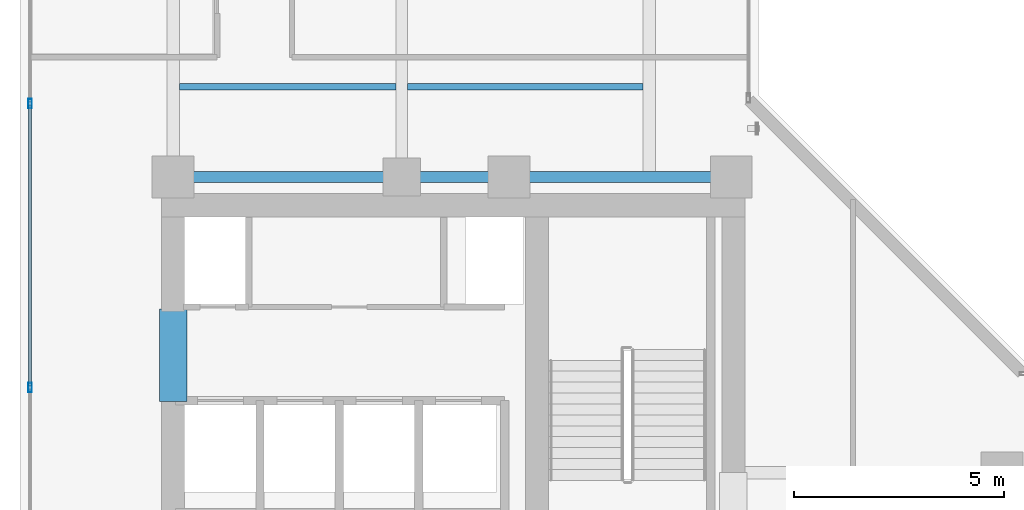
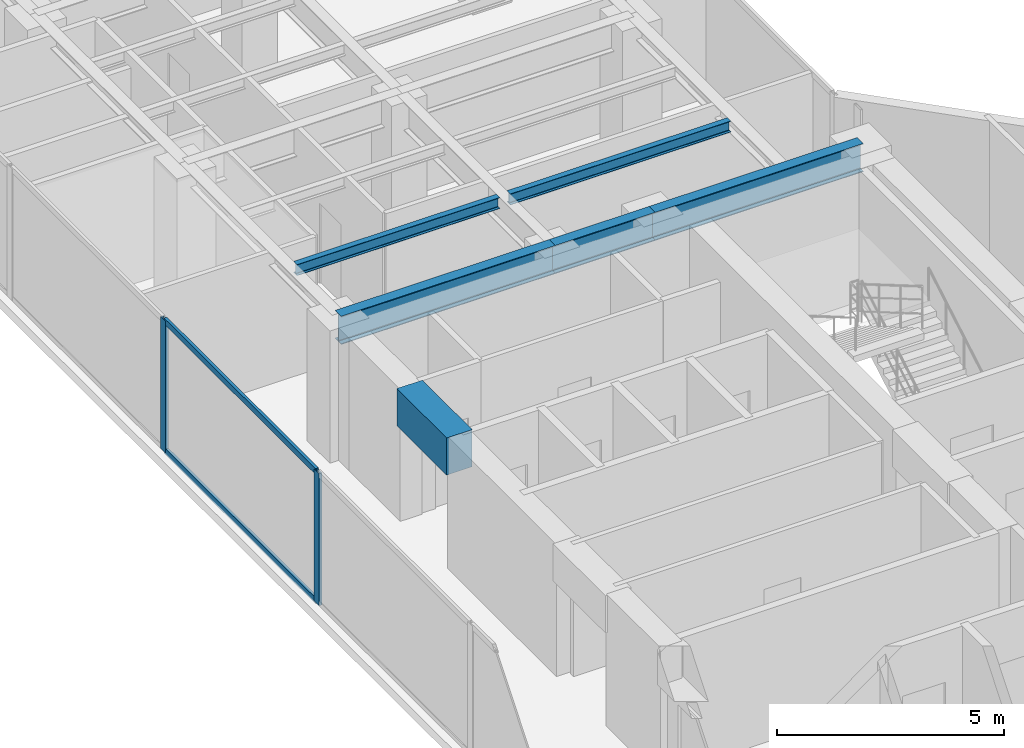
# One storey, part 7 of 23: 6 beams, 4 members, 1 element without a shape of its own.
"""IFC4 building model written with IfcOpenShell, lengths in metres."""

from ifc_helpers import new_model, si_unit, direction, frame, origin, origin_with_axes, origin_2d, place, context, subcontext, project, spatial, rectangle, hollow_rectangle, i_section, extrude, source, transform, mapped, material, layer, layer_set, material_profile, profile_set, type_object, element, aggregate, save


model = new_model("IFC4")

# Units and contexts
model_context = context("Model", 3, precision=1e-05, world=origin(), true_north=direction((0.0, 1.0)))
body_context = subcontext(model_context, "Body", "Model", "MODEL_VIEW")
ifc_project = project(units=[si_unit("LENGTHUNIT", "METRE"), si_unit("AREAUNIT", "SQUARE_METRE"), si_unit("VOLUMEUNIT", "CUBIC_METRE"), si_unit("PLANEANGLEUNIT", "RADIAN"), si_unit("MASSUNIT", "GRAM", prefix="KILO")], contexts=[model_context])

# Site, building, storey
site_placement = place(None, origin())
site = spatial("IfcSite", under=ifc_project, at=site_placement, CompositionType="ELEMENT")
building_placement = place(site_placement, origin())
building = spatial("IfcBuilding", under=site, at=building_placement, Name="Kolvaren Waterfront Exchange", CompositionType="ELEMENT")
storey_placement = place(building_placement, frame((0.0, 0.0, 250.10009765625)))
storey = spatial("IfcBuildingStorey", under=building, at=storey_placement, Name="L64", CompositionType="ELEMENT", Elevation=250.10009765625)

# Beams
ifc_material_1 = material(Name="Steel S355", Category="steel")
ifc_material_profile_1 = material_profile(ifc_material_1, i_section(OverallWidth=0.14990234375, OverallDepth=0.300048828125, WebThickness=0.007080078125, FlangeThickness=0.0107421875, FilletRadius=0.014892578125, at=origin_2d()), Name="IPE300")
ifc_profile_set_1 = profile_set([ifc_material_profile_1], Name="Steel S355")
beam_type_1 = type_object("IfcBeamType", Name="STR-BM-IPE300", PredefinedType="JOIST", material=ifc_profile_set_1)
beam_1_placement = place(storey_placement, frame((7.60205078125, 26.60009765625, 3.409912109375), z_axis=(1.0, 0.0, 0.0), x_axis=(0.0, 1.0, 0.0)))
element("IfcBeam", 1, at=beam_1_placement, inside=storey, type_object=beam_type_1, Name="L64 north-arm composite joist 1A", PredefinedType="JOIST", context=body_context, shape_type="SweptSolid", body=[
    extrude(i_section(OverallWidth=0.14990234375, OverallDepth=0.300048828125, WebThickness=0.007080078125, FlangeThickness=0.0107421875, FilletRadius=0.014892578125, at=origin_2d()), origin(), (0.0, 0.0, 1.0), 5.162353515625),
])
beam_2_placement = place(storey_placement, frame((13.035400390625, 26.60009765625, 3.409912109375), z_axis=(1.0, 0.0, 0.0), x_axis=(0.0, 1.0, 0.0)))
element("IfcBeam", 2, at=beam_2_placement, inside=storey, type_object=beam_type_1, Name="L64 north-arm composite joist 1B", PredefinedType="JOIST", context=body_context, shape_type="SweptSolid", body=[
    extrude(i_section(OverallWidth=0.14990234375, OverallDepth=0.300048828125, WebThickness=0.007080078125, FlangeThickness=0.0107421875, FilletRadius=0.014892578125, at=origin_2d()), origin(), (0.0, 0.0, 1.0), 5.612548828125),
])
ifc_material_profile_2 = material_profile(ifc_material_1, i_section(OverallWidth=0.26708984375, OverallDepth=0.761962890625, WebThickness=0.014404296875, FlangeThickness=0.021484375, FilletRadius=0.01708984375, at=origin_2d()), Name="IPE750x173")
ifc_profile_set_2 = profile_set([ifc_material_profile_2], Name="Steel S355")
beam_type_2 = type_object("IfcBeamType", Name="STR-BM-IPE750", PredefinedType="BEAM", material=ifc_profile_set_2)
beam_3_placement = place(storey_placement, frame((7.449951171875, 24.449951171875, 3.178955078125), z_axis=(1.0, 0.0, 0.0), x_axis=(0.0, 1.0, 0.0)))
element("IfcBeam", 3, at=beam_3_placement, inside=storey, type_object=beam_type_2, Name="L64 north-arm girder 1A", PredefinedType="BEAM", context=body_context, shape_type="SweptSolid", body=[
    extrude(i_section(OverallWidth=0.26708984375, OverallDepth=0.761962890625, WebThickness=0.014404296875, FlangeThickness=0.021484375, FilletRadius=0.01708984375, at=origin_2d()), origin(), (0.0, 0.0, 1.0), 5.449951171875),
])
beam_4_placement = place(storey_placement, frame((12.89990234375, 24.449951171875, 3.178955078125), z_axis=(1.0, 0.0, 0.0), x_axis=(0.0, 1.0, 0.0)))
element("IfcBeam", 4, at=beam_4_placement, inside=storey, type_object=beam_type_2, Name="L64 north-arm girder 1B", PredefinedType="BEAM", context=body_context, shape_type="SweptSolid", body=[
    extrude(i_section(OverallWidth=0.26708984375, OverallDepth=0.761962890625, WebThickness=0.014404296875, FlangeThickness=0.021484375, FilletRadius=0.01708984375, at=origin_2d()), origin(), (0.0, 0.0, 1.0), 2.550048828125),
])
beam_5_placement = place(storey_placement, frame((15.449951171875, 24.449951171875, 3.178955078125), z_axis=(1.0, 0.0, 0.0), x_axis=(0.0, 1.0, 0.0)))
element("IfcBeam", 5, at=beam_5_placement, inside=storey, type_object=beam_type_2, Name="L64 north-arm girder 1C", PredefinedType="BEAM", context=body_context, shape_type="SweptSolid", body=[
    extrude(i_section(OverallWidth=0.26708984375, OverallDepth=0.761962890625, WebThickness=0.014404296875, FlangeThickness=0.021484375, FilletRadius=0.01708984375, at=origin_2d()), origin(), (0.0, 0.0, 1.0), 5.300048828125),
])
ifc_material_2 = material(Name="Concrete C60/75", Category="concrete")
ifc_material_profile_3 = material_profile(ifc_material_2, rectangle(XDim=0.64990234375, YDim=1.0, at=origin_2d()), Name="RC-CB-1000x650")
ifc_profile_set_3 = profile_set([ifc_material_profile_3], Name="Concrete C60/75")
beam_type_3 = type_object("IfcBeamType", Name="STR-CB-1000", PredefinedType="SPANDREL", material=ifc_profile_set_3)
beam_6_placement = place(storey_placement, frame((7.449951171875, 19.10009765625, 3.059814453125), z_axis=(0.0, 1.0, 0.0), x_axis=(-1.0, 0.0, 0.0)))
element("IfcBeam", 6, at=beam_6_placement, inside=storey, type_object=beam_type_3, Name="L64 core coupling beam 5", PredefinedType="SPANDREL", context=body_context, shape_type="SweptSolid", body=[
    extrude(rectangle(XDim=0.64990234375, YDim=1.0, at=origin_2d()), origin(), (0.0, 0.0, 1.0), 2.199951171875),
])

# Curtain wall, members
ifc_material_3 = material(Name="Anodised aluminium 6063-T6", Category="aluminium")
ifc_layer = layer(ifc_material_3, 0.219970703125, Name="Anodised aluminium 6063-T6")
ifc_layer_set = layer_set([ifc_layer], Name="Anodised aluminium 6063-T6")
curtain_wall_type = type_object("IfcCurtainWallType", Name="ARC-CW-SYS2", PredefinedType="USERDEFINED", material=ifc_layer_set)
curtain_wall_placement = place(storey_placement, origin())
curtain_wall = element("IfcCurtainWall", 7, at=curtain_wall_placement, inside=storey, type_object=curtain_wall_type, Name="L64 stick curtain wall CW2 (CW-L64-W)", ObjectType="STICK CURTAIN WALL", PredefinedType="USERDEFINED")
ifc_material_profile_4 = material_profile(ifc_material_3, hollow_rectangle(XDim=0.074951171875, YDim=0.159912109375, WallThickness=0.00439453125, at=origin_2d()), Name="ALU-TRN-160x75x4.5")
ifc_profile_set_4 = profile_set([ifc_material_profile_4], Name="Anodised aluminium 6063-T6")
member_type_1 = type_object("IfcMemberType", Name="ARC-CWT-160", PredefinedType="USERDEFINED", material=ifc_profile_set_4)
shared_shape_1 = source(origin_with_axes(), body_context, "Body", "SweptSolid", [
    extrude(hollow_rectangle(XDim=0.074951171875, YDim=0.159912109375, WallThickness=0.00439453125, at=origin_2d()), origin(), (0.0, 0.0, 1.0), 6.6865234375),
])
member_1_placement = place(storey_placement, frame((4.0400390625, 19.473388671875, 0.037353515625), z_axis=(0.0, 1.0, 0.0), x_axis=(-1.0, 0.0, 0.0)))
member_1 = element("IfcMember", 8, at=member_1_placement, type_object=member_type_1, Name="CW2 transom 3.1", ObjectType="TRANSOM", PredefinedType="USERDEFINED", context=body_context, shape_type="MappedRepresentation", body=[
    mapped(shared_shape_1, transform((0.0, 0.0, 0.0), x_axis=(1.0, 0.0, 0.0), y_axis=(0.0, 1.0, 0.0), z_axis=(0.0, 0.0, 1.0), scale=1.0)),
])
member_2_placement = place(storey_placement, frame((4.0400390625, 19.473388671875, 3.5224609375), z_axis=(0.0, 1.0, 0.0), x_axis=(-1.0, 0.0, 0.0)))
member_2 = element("IfcMember", 9, at=member_2_placement, type_object=member_type_1, Name="CW2 transom 3.2", ObjectType="TRANSOM", PredefinedType="USERDEFINED", context=body_context, shape_type="MappedRepresentation", body=[
    mapped(shared_shape_1, transform((0.0, 0.0, 0.0), x_axis=(1.0, 0.0, 0.0), y_axis=(0.0, 1.0, 0.0), z_axis=(0.0, 0.0, 1.0), scale=1.0)),
])
ifc_material_profile_5 = material_profile(ifc_material_3, hollow_rectangle(XDim=0.080078125, YDim=0.219970703125, WallThickness=0.0048828125, at=origin_2d()), Name="ALU-MUL-220x80x5")
ifc_profile_set_5 = profile_set([ifc_material_profile_5], Name="Anodised aluminium 6063-T6")
member_type_2 = type_object("IfcMemberType", Name="ARC-CWM-220", PredefinedType="MULLION", material=ifc_profile_set_5)
shared_shape_2 = source(origin_with_axes(), body_context, "Body", "SweptSolid", [
    extrude(hollow_rectangle(XDim=0.080078125, YDim=0.219970703125, WallThickness=0.0048828125, at=origin_2d()), origin(), (0.0, 0.0, 1.0), 3.559814453125),
])
member_3_placement = place(storey_placement, frame((4.0400390625, 19.433349609375, 0.0), z_axis=(0.0, 0.0, 1.0), x_axis=(-1.0, 0.0, 0.0)))
member_3 = element("IfcMember", 10, at=member_3_placement, type_object=member_type_2, Name="CW2 mullion 3", PredefinedType="MULLION", context=body_context, shape_type="MappedRepresentation", body=[
    mapped(shared_shape_2, transform((0.0, 0.0, 0.0), x_axis=(1.0, 0.0, 0.0), y_axis=(0.0, 1.0, 0.0), z_axis=(0.0, 0.0, 1.0), scale=1.0)),
])
member_4_placement = place(storey_placement, frame((4.0400390625, 26.199951171875, 0.0), z_axis=(0.0, 0.0, 1.0), x_axis=(-1.0, 0.0, 0.0)))
member_4 = element("IfcMember", 11, at=member_4_placement, type_object=member_type_2, Name="CW2 mullion 4", PredefinedType="MULLION", context=body_context, shape_type="MappedRepresentation", body=[
    mapped(shared_shape_2, transform((0.0, 0.0, 0.0), x_axis=(1.0, 0.0, 0.0), y_axis=(0.0, 1.0, 0.0), z_axis=(0.0, 0.0, 1.0), scale=1.0)),
])
aggregate(curtain_wall, [member_3, member_4, member_1, member_2])

save(model, "model.ifc")
